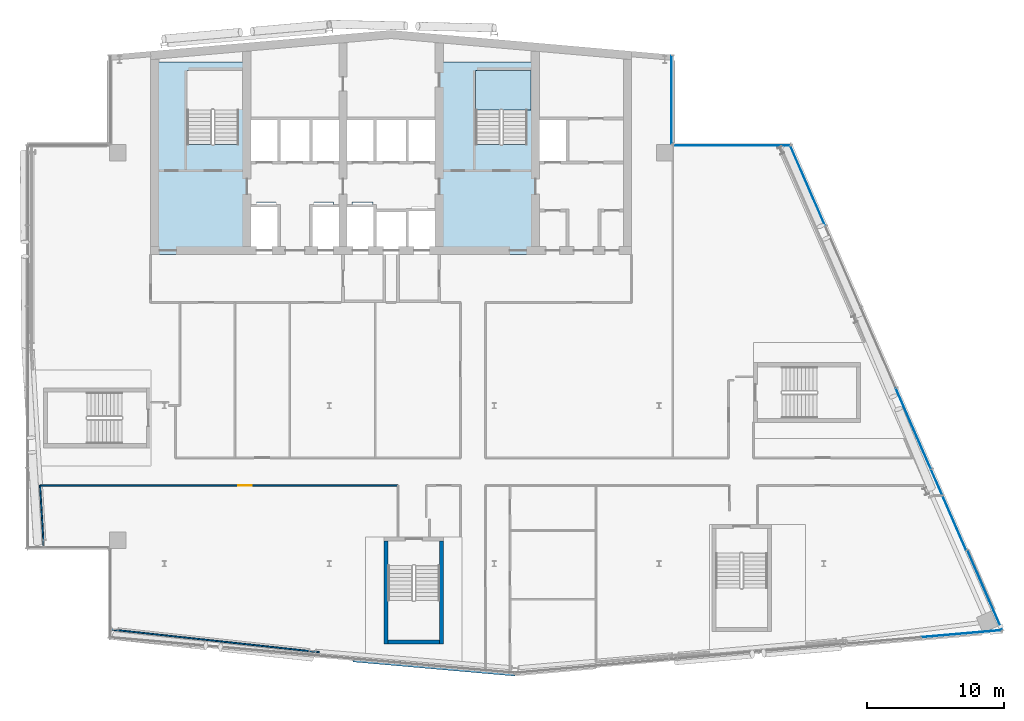
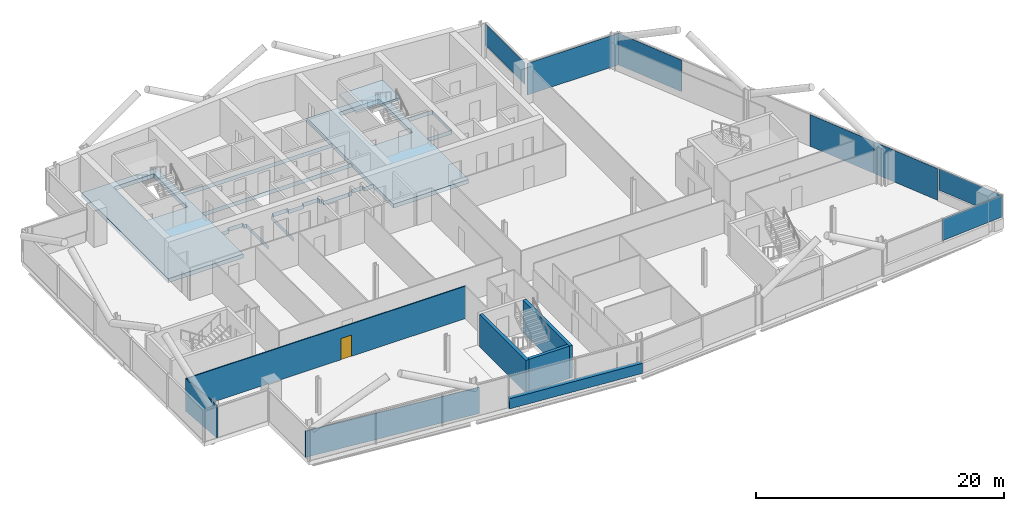
# One storey, part 14 of 27: 7 plates, 7 walls, 2 slabs, 1 door, 1 opening, 5 elements without a shape of their own.
"""IFC4 building model written with IfcOpenShell, lengths in metres."""

from ifc_helpers import new_model, si_unit, direction, frame, frame_2d, origin, origin_2d, place, context, subcontext, project, spatial, polyline, rectangle, outline, extrude, material, layer, layer_set, type_object, element, fill, aggregate, save


model = new_model("IFC4")

# Units and contexts
model_context = context("Model", 3, precision=1e-05, world=origin(), true_north=direction((0.0, 1.0)))
body_context = subcontext(model_context, "Body", "Model", "MODEL_VIEW")
ifc_project = project(units=[si_unit("LENGTHUNIT", "METRE"), si_unit("AREAUNIT", "SQUARE_METRE"), si_unit("VOLUMEUNIT", "CUBIC_METRE"), si_unit("PLANEANGLEUNIT", "RADIAN"), si_unit("MASSUNIT", "GRAM", prefix="KILO")], contexts=[model_context])

# Site, building, storey
site_placement = place(None, origin())
site = spatial("IfcSite", under=ifc_project, at=site_placement, CompositionType="ELEMENT")
building_placement = place(site_placement, origin())
building = spatial("IfcBuilding", under=site, at=building_placement, Name="Wharfspan Tower", CompositionType="ELEMENT")
storey_placement = place(building_placement, frame((0.0, 0.0, 210.699951)))
storey = spatial("IfcBuildingStorey", under=building, at=storey_placement, Name="L52", CompositionType="ELEMENT", Elevation=210.699951)

# Curtain wall, plate
ifc_material_1 = material(Name="Aluminium 6063-T6", Category="aluminium")
curtain_wall_type_1 = type_object("IfcCurtainWallType", Name="CURTAIN WALL FACETED FRONT", PredefinedType="NOTDEFINED", material=ifc_material_1)
curtain_wall_1_placement = place(storey_placement, origin())
curtain_wall_1 = element("IfcCurtainWall", 1, at=curtain_wall_1_placement, inside=storey, type_object=curtain_wall_type_1, Name="Curtain wall S2", PredefinedType="NOTDEFINED")
ifc_material_2 = material(Name="Glass clear low-iron double glazing", Category="glass")
ifc_layer_1 = layer(ifc_material_2, 0.040039)
ifc_layer_set_1 = layer_set([ifc_layer_1], Name="Glass clear low-iron double glazing")
plate_type_1 = type_object("IfcPlateType", Name="GLASS PANEL FACETED FRONT 40", PredefinedType="CURTAIN_PANEL", material=ifc_layer_set_1)
plate_1_placement = place(storey_placement, frame((82.021484, 6.399658, 1.0), z_axis=(0.0, 0.0, 1.0), x_axis=(0.996197, 0.087156, 0.0)))
plate_1 = element("IfcPlate", 2, at=plate_1_placement, type_object=plate_type_1, Name="Curtain wall S2 panel 6", PredefinedType="CURTAIN_PANEL", context=body_context, shape_type="SweptSolid", body=[
    extrude(rectangle(XDim=5.849365, YDim=0.040039, at=origin_2d()), origin(), (0.0, 0.0, 1.0), 2.120117),
])
aggregate(curtain_wall_1, [plate_1])

curtain_wall_type_2 = type_object("IfcCurtainWallType", Name="CURTAIN WALL PROW AND END", PredefinedType="NOTDEFINED", material=ifc_material_1)
curtain_wall_2_placement = place(storey_placement, origin())
curtain_wall_2 = element("IfcCurtainWall", 3, at=curtain_wall_2_placement, inside=storey, type_object=curtain_wall_type_2, Name="Curtain wall E", PredefinedType="NOTDEFINED")
ifc_layer_2 = layer(ifc_material_2, 0.040039)
ifc_layer_set_2 = layer_set([ifc_layer_2], Name="Glass clear low-iron double glazing")
plate_type_2 = type_object("IfcPlateType", Name="GLASS PANEL PROW AND END 40", PredefinedType="CURTAIN_PANEL", material=ifc_layer_set_2)
plate_2_placement = place(storey_placement, frame((83.711426, 9.563721, 1.0), z_axis=(0.0, 0.0, 1.0), x_axis=(-0.398727, 0.917072, 0.0)))
plate_2 = element("IfcPlate", 4, at=plate_2_placement, type_object=plate_type_2, Name="Curtain wall E panel 1", PredefinedType="CURTAIN_PANEL", context=body_context, shape_type="SweptSolid", body=[
    extrude(rectangle(XDim=6.343506, YDim=0.040039, at=origin_2d()), origin(), (0.0, 0.0, 1.0), 2.120117),
])

curtain_wall_3_placement = place(storey_placement, origin())
curtain_wall_3 = element("IfcCurtainWall", 5, at=curtain_wall_3_placement, inside=storey, type_object=curtain_wall_type_2, Name="Curtain wall NRE-V", PredefinedType="NOTDEFINED")
plate_3_placement = place(storey_placement, frame((60.919922, 45.262451, 1.0), z_axis=(0.0, 0.0, 1.0), x_axis=(0.0, 1.0, 0.0)))
plate_3 = element("IfcPlate", 6, at=plate_3_placement, type_object=plate_type_2, Name="Curtain wall NRE-V panel 1", PredefinedType="CURTAIN_PANEL", context=body_context, shape_type="SweptSolid", body=[
    extrude(rectangle(XDim=6.405029, YDim=0.040039, at=origin_2d()), origin(), (0.0, 0.0, 1.0), 2.120117),
])
aggregate(curtain_wall_3, [plate_3])

# Plate
ifc_material_3 = material(Name="Aluminium composite opaque insulated panel", Category="aluminium")
ifc_layer_3 = layer(ifc_material_3, 0.040039)
ifc_layer_set_3 = layer_set([ifc_layer_3], Name="Aluminium composite opaque insulated panel")
plate_type_3 = type_object("IfcPlateType", Name="INFILL PANEL PROW AND END OPAQUE 40", PredefinedType="SHEET", material=ifc_layer_set_3)
plate_4_placement = place(storey_placement, frame((81.078857, 15.418213, 0.0), z_axis=(0.0, 0.0, 1.0), x_axis=(-0.398727, 0.917072, 0.0)))
plate_4 = element("IfcPlate", 7, at=plate_4_placement, type_object=plate_type_3, Name="Curtain wall E panel 2", PredefinedType="SHEET", context=body_context, shape_type="SweptSolid", body=[
    extrude(rectangle(XDim=6.373535, YDim=0.040039, at=origin_2d()), origin(), (0.0, 0.0, 1.0), 3.120117),
])

plate_5_placement = place(storey_placement, frame((78.513672, 21.318115, 0.0), z_axis=(0.0, 0.0, 1.0), x_axis=(-0.398727, 0.917072, 0.0)))
plate_5 = element("IfcPlate", 8, at=plate_5_placement, type_object=plate_type_3, Name="Curtain wall E panel 3", PredefinedType="SHEET", context=body_context, shape_type="SweptSolid", body=[
    extrude(rectangle(XDim=6.373535, YDim=0.040039, at=origin_2d()), origin(), (0.0, 0.0, 1.0), 3.120117),
])

plate_6_placement = place(storey_placement, frame((70.823975, 39.004395, 0.0), z_axis=(0.0, 0.0, 1.0), x_axis=(-0.398727, 0.917072, 0.0)))
plate_6 = element("IfcPlate", 9, at=plate_6_placement, type_object=plate_type_3, Name="Curtain wall E panel 6", PredefinedType="SHEET", context=body_context, shape_type="SweptSolid", body=[
    extrude(rectangle(XDim=6.343506, YDim=0.040039, at=origin_2d()), origin(), (0.0, 0.0, 1.0), 3.120117),
])

aggregate(curtain_wall_2, [plate_2, plate_4, plate_5, plate_6])

# Curtain wall, plate
curtain_wall_4_placement = place(storey_placement, origin())
curtain_wall_4 = element("IfcCurtainWall", 10, at=curtain_wall_4_placement, inside=storey, type_object=curtain_wall_type_2, Name="Curtain wall NRE-H", PredefinedType="NOTDEFINED")
plate_7_placement = place(storey_placement, frame((65.304443, 41.919922, 0.0), z_axis=(0.0, 0.0, 1.0), x_axis=(-1.0, 0.0, 0.0)))
plate_7 = element("IfcPlate", 11, at=plate_7_placement, type_object=plate_type_3, Name="Curtain wall NRE-H panel 1", PredefinedType="SHEET", context=body_context, shape_type="SweptSolid", body=[
    extrude(rectangle(XDim=8.48877, YDim=0.040039, at=origin_2d()), origin(), (0.0, 0.0, 1.0), 3.120117),
])
aggregate(curtain_wall_4, [plate_7])

# Slab
ifc_material_4 = material(Name="Concrete C40/50", Category="concrete")
ifc_layer_4 = layer(ifc_material_4, 0.399902)
ifc_layer_set_4 = layer_set([ifc_layer_4], Name="Concrete C40/50")
slab_type_1 = type_object("IfcSlabType", Name="Post-tensioned flat slab 400", PredefinedType="FLOOR", material=ifc_layer_set_4)
slab_1_placement = place(storey_placement, frame((0.0, 0.0, -0.400146)))
element("IfcSlab", 12, at=slab_1_placement, inside=storey, type_object=slab_type_1, Name="Core floor slab L52 part 2", PredefinedType="FLOOR", context=body_context, shape_type="SweptSolid", body=[
    extrude(outline(polyline([(23.0, 34.0), (29.998047, 34.0), (29.998047, 37.550049), (29.998047, 37.550293), (29.998047, 37.550293), (29.998047, 37.550537), (29.998291, 37.550781), (29.998291, 37.550781), (29.998291, 37.551025), (29.998535, 37.55127), (29.998535, 37.551514), (29.998779, 37.551514), (29.998779, 37.551758), (29.999023, 37.551758), (29.999268, 37.551758), (29.999512, 37.552002), (29.999512, 37.552002), (29.999756, 37.552002), (30.0, 37.552002), (30.7146, 37.552002), (30.7146, 37.800049), (30.7146, 37.800293), (30.7146, 37.800293), (30.714844, 37.800537), (30.714844, 37.800781), (30.714844, 37.800781), (30.715088, 37.801025), (30.715088, 37.80127), (30.715332, 37.801514), (30.715332, 37.801514), (30.715576, 37.801758), (30.71582, 37.801758), (30.71582, 37.801758), (30.716064, 37.802002), (30.716309, 37.802002), (30.716553, 37.802002), (30.716797, 37.802002), (32.116699, 37.802002), (32.116943, 37.802002), (32.117188, 37.802002), (32.117188, 37.802002), (32.117432, 37.801758), (32.117676, 37.801758), (32.11792, 37.801758), (32.11792, 37.801514), (32.118164, 37.801514), (32.118164, 37.80127), (32.118408, 37.801025), (32.118408, 37.800781), (32.118408, 37.800781), (32.118652, 37.800537), (32.118652, 37.800293), (32.118652, 37.800293), (32.118652, 37.800049), (32.118652, 37.552002), (32.333252, 37.552002), (32.333496, 37.552002), (32.33374, 37.552002), (32.333984, 37.552002), (32.333984, 37.551758), (32.334229, 37.551758), (32.334473, 37.551758), (32.334717, 37.551514), (32.334717, 37.551514), (32.334961, 37.55127), (32.334961, 37.551025), (32.335205, 37.550781), (32.335205, 37.550781), (32.335205, 37.550537), (32.335205, 37.550293), (32.335205, 37.550293), (32.335205, 37.550049), (32.335205, 34.0), (32.341309, 34.0), (32.341309, 37.558105), (32.126709, 37.558105), (32.126465, 37.558105), (32.126221, 37.558105), (32.126221, 37.558105), (32.125977, 37.558105), (32.125732, 37.558105), (32.125488, 37.55835), (32.125488, 37.558594), (32.125244, 37.558594), (32.125244, 37.558594), (32.125, 37.558838), (32.125, 37.559082), (32.125, 37.559082), (32.124756, 37.559326), (32.124756, 37.55957), (32.124756, 37.559814), (32.124756, 37.560059), (32.124756, 37.808105), (30.70874, 37.808105), (30.70874, 37.560059), (30.70874, 37.559814), (30.70874, 37.55957), (30.708496, 37.559326), (30.708496, 37.559082), (30.708496, 37.559082), (30.708496, 37.558838), (30.708252, 37.558594), (30.708008, 37.558594), (30.708008, 37.558594), (30.707764, 37.55835), (30.70752, 37.558105), (30.70752, 37.558105), (30.707275, 37.558105), (30.707031, 37.558105), (30.706787, 37.558105), (30.706787, 37.558105), (30.01001, 37.558105), (30.009766, 37.558105), (30.009521, 37.558105), (30.009521, 37.558105), (30.009277, 37.558105), (30.009033, 37.558105), (30.008789, 37.55835), (30.008789, 37.558594), (30.008545, 37.558594), (30.008545, 37.558594), (30.008301, 37.558838), (30.008301, 37.559082), (30.008301, 37.559082), (30.008057, 37.559326), (30.008057, 37.55957), (30.008057, 37.559814), (30.008057, 37.560059), (30.008057, 40.689941), (30.008057, 40.690186), (30.008057, 40.69043), (30.008057, 40.690674), (30.008301, 40.690918), (30.008301, 40.690918), (30.008301, 40.691162), (30.008545, 40.691406), (30.008545, 40.691406), (30.008789, 40.691406), (30.008789, 40.69165), (30.009033, 40.691895), (30.009277, 40.691895), (30.009521, 40.691895), (30.009521, 40.691895), (30.009766, 40.691895), (30.01001, 40.691895), (43.98999, 40.691895), (43.990234, 40.691895), (43.990479, 40.691895), (43.990479, 40.691895), (43.990723, 40.691895), (43.990967, 40.691895), (43.991211, 40.69165), (43.991211, 40.691406), (43.991455, 40.691406), (43.991455, 40.691406), (43.991699, 40.691162), (43.991699, 40.690918), (43.991699, 40.690918), (43.991943, 40.690674), (43.991943, 40.69043), (43.991943, 40.690186), (43.991943, 40.689941), (43.991943, 37.26001), (43.991943, 37.259766), (43.991943, 37.259521), (43.991943, 37.259521), (43.991699, 37.259277), (43.991699, 37.259033), (43.991699, 37.258789), (43.991455, 37.258789), (43.991455, 37.258545), (43.991211, 37.258545), (43.991211, 37.258301), (43.990967, 37.258301), (43.990723, 37.258301), (43.990479, 37.258057), (43.990479, 37.258057), (43.990234, 37.258057), (43.98999, 37.258057), (43.143311, 37.258057), (43.143066, 37.258057), (43.142822, 37.258057), (43.142578, 37.258057), (43.142578, 37.258301), (43.142334, 37.258301), (43.14209, 37.258301), (43.14209, 37.258545), (43.141846, 37.258545), (43.141846, 37.258789), (43.141602, 37.258789), (43.141602, 37.259033), (43.141602, 37.259277), (43.141357, 37.259521), (43.141357, 37.259521), (43.141357, 37.259766), (43.141357, 37.26001), (43.141357, 37.508057), (42.025391, 37.508057), (42.025391, 37.26001), (42.025391, 37.259766), (42.025391, 37.259521), (42.025146, 37.259521), (42.025146, 37.259277), (42.025146, 37.259033), (42.024902, 37.258789), (42.024902, 37.258789), (42.024658, 37.258545), (42.024658, 37.258545), (42.024414, 37.258301), (42.02417, 37.258301), (42.02417, 37.258301), (42.023926, 37.258057), (42.023682, 37.258057), (42.023438, 37.258057), (42.023193, 37.258057), (41.658691, 37.258057), (41.658691, 37.209961), (41.658691, 37.209717), (41.658691, 37.209717), (41.658691, 37.209473), (41.658447, 37.209229), (41.658447, 37.208984), (41.658447, 37.208984), (41.658203, 37.20874), (41.658203, 37.208496), (41.657959, 37.208496), (41.657715, 37.208252), (41.657715, 37.208252), (41.657471, 37.208252), (41.657227, 37.208008), (41.656982, 37.208008), (41.656982, 37.208008), (41.656738, 37.208008), (39.343262, 37.208008), (39.343018, 37.208008), (39.343018, 37.208008), (39.342773, 37.208008), (39.342529, 37.208252), (39.342285, 37.208252), (39.342285, 37.208252), (39.342041, 37.208496), (39.341797, 37.208496), (39.341797, 37.20874), (39.341553, 37.208984), (39.341553, 37.208984), (39.341553, 37.209229), (39.341309, 37.209473), (39.341309, 37.209717), (39.341309, 37.209717), (39.341309, 37.209961), (39.341309, 37.558105), (39.166748, 37.558105), (39.166504, 37.558105), (39.16626, 37.558105), (39.166016, 37.558105), (39.166016, 37.558105), (39.165771, 37.558105), (39.165527, 37.55835), (39.165283, 37.558594), (39.165283, 37.558594), (39.165283, 37.558594), (39.165039, 37.558838), (39.164795, 37.559082), (39.164795, 37.559082), (39.164795, 37.559326), (39.164795, 37.55957), (39.164795, 37.559814), (39.164795, 37.560059), (39.164795, 37.808105), (37.668701, 37.808105), (37.668701, 37.560059), (37.668701, 37.559814), (37.668701, 37.55957), (37.668701, 37.559326), (37.668457, 37.559082), (37.668457, 37.559082), (37.668457, 37.558838), (37.668213, 37.558594), (37.668213, 37.558594), (37.667969, 37.558594), (37.667725, 37.55835), (37.66748, 37.558105), (37.66748, 37.558105), (37.667236, 37.558105), (37.666992, 37.558105), (37.666992, 37.558105), (37.666748, 37.558105), (36.293213, 37.558105), (36.293213, 37.558105), (36.292969, 37.558105), (36.292725, 37.558105), (36.29248, 37.558105), (36.29248, 37.558105), (36.292236, 37.55835), (36.291992, 37.558594), (36.291992, 37.558594), (36.291748, 37.558594), (36.291504, 37.558838), (36.291504, 37.559082), (36.291504, 37.559082), (36.291504, 37.559326), (36.29126, 37.55957), (36.29126, 37.559814), (36.29126, 37.560059), (36.29126, 37.808105), (34.875244, 37.808105), (34.875244, 37.560059), (34.875244, 37.559814), (34.875244, 37.55957), (34.875244, 37.559326), (34.875, 37.559082), (34.875, 37.559082), (34.875, 37.558838), (34.874756, 37.558594), (34.874756, 37.558594), (34.874512, 37.558594), (34.874512, 37.55835), (34.874268, 37.558105), (34.874023, 37.558105), (34.873779, 37.558105), (34.873779, 37.558105), (34.873535, 37.558105), (34.873291, 37.558105), (34.658691, 37.558105), (34.658691, 34.0), (34.664795, 34.0), (34.664795, 37.550049), (34.664795, 37.550293), (34.664795, 37.550293), (34.664795, 37.550537), (34.664795, 37.550781), (34.664795, 37.550781), (34.665039, 37.551025), (34.665039, 37.55127), (34.665283, 37.551514), (34.665283, 37.551514), (34.665527, 37.551758), (34.665771, 37.551758), (34.666016, 37.551758), (34.666016, 37.552002), (34.66626, 37.552002), (34.666504, 37.552002), (34.666748, 37.552002), (34.881348, 37.552002), (34.881348, 37.800049), (34.881348, 37.800293), (34.881348, 37.800293), (34.881348, 37.800537), (34.881592, 37.800781), (34.881592, 37.800781), (34.881592, 37.801025), (34.881836, 37.80127), (34.881836, 37.801514), (34.88208, 37.801514), (34.88208, 37.801758), (34.882324, 37.801758), (34.882568, 37.801758), (34.882812, 37.802002), (34.882812, 37.802002), (34.883057, 37.802002), (34.883301, 37.802002), (36.283203, 37.802002), (36.283447, 37.802002), (36.283691, 37.802002), (36.283936, 37.802002), (36.28418, 37.801758), (36.28418, 37.801758), (36.284424, 37.801758), (36.284668, 37.801514), (36.284668, 37.801514), (36.284912, 37.80127), (36.284912, 37.801025), (36.285156, 37.800781), (36.285156, 37.800781), (36.285156, 37.800537), (36.2854, 37.800293), (36.2854, 37.800293), (36.2854, 37.800049), (36.2854, 37.552002), (37.674805, 37.552002), (37.674805, 37.800049), (37.674805, 37.800293), (37.674805, 37.800293), (37.674805, 37.800537), (37.674805, 37.800781), (37.674805, 37.800781), (37.675049, 37.801025), (37.675049, 37.80127), (37.675293, 37.801514), (37.675293, 37.801514), (37.675537, 37.801758), (37.675781, 37.801758), (37.675781, 37.801758), (37.676025, 37.802002), (37.67627, 37.802002), (37.676514, 37.802002), (37.676758, 37.802002), (39.156738, 37.802002), (39.156982, 37.802002), (39.156982, 37.802002), (39.157227, 37.802002), (39.157471, 37.801758), (39.157715, 37.801758), (39.157715, 37.801758), (39.157959, 37.801514), (39.158203, 37.801514), (39.158203, 37.80127), (39.158203, 37.801025), (39.158447, 37.800781), (39.158447, 37.800781), (39.158691, 37.800537), (39.158691, 37.800293), (39.158691, 37.800293), (39.158691, 37.800049), (39.158691, 37.552002), (39.333252, 37.552002), (39.333496, 37.552002), (39.33374, 37.552002), (39.333984, 37.552002), (39.333984, 37.551758), (39.334229, 37.551758), (39.334473, 37.551758), (39.334717, 37.551514), (39.334717, 37.551514), (39.334961, 37.55127), (39.334961, 37.551025), (39.335205, 37.550781), (39.335205, 37.550781), (39.335205, 37.550537), (39.335205, 37.550293), (39.335205, 37.550293), (39.335205, 37.550049), (39.335205, 37.201904), (41.664795, 37.201904), (41.664795, 37.25), (41.664795, 37.250244), (41.664795, 37.250488), (41.664795, 37.250488), (41.664795, 37.250732), (41.664795, 37.250977), (41.665039, 37.251221), (41.665039, 37.251221), (41.665283, 37.251465), (41.665283, 37.251465), (41.665527, 37.251709), (41.665771, 37.251709), (41.666016, 37.251709), (41.666016, 37.251953), (41.66626, 37.251953), (41.666504, 37.251953), (41.666748, 37.251953), (42.03125, 37.251953), (42.03125, 37.5), (42.03125, 37.500244), (42.031494, 37.500488), (42.031494, 37.500488), (42.031494, 37.500732), (42.031494, 37.500977), (42.031738, 37.501221), (42.031738, 37.501221), (42.031982, 37.501465), (42.031982, 37.501465), (42.032227, 37.501709), (42.032471, 37.501709), (42.032715, 37.501709), (42.032715, 37.501953), (42.032959, 37.501953), (42.033203, 37.501953), (42.033203, 37.501953), (43.133301, 37.501953), (43.133545, 37.501953), (43.133789, 37.501953), (43.133789, 37.501953), (43.134033, 37.501709), (43.134277, 37.501709), (43.134521, 37.501709), (43.134521, 37.501465), (43.134766, 37.501465), (43.13501, 37.501221), (43.13501, 37.501221), (43.13501, 37.500977), (43.135254, 37.500732), (43.135254, 37.500488), (43.135254, 37.500488), (43.135254, 37.500244), (43.135254, 37.5), (43.135254, 37.251953), (44.0, 37.251953), (44.000244, 37.251953), (44.000488, 37.251953), (44.000488, 37.251953), (44.000732, 37.251709), (44.000977, 37.251709), (44.001221, 37.251709), (44.001221, 37.251465), (44.001465, 37.251465), (44.001465, 37.251221), (44.001709, 37.251221), (44.001709, 37.250977), (44.001709, 37.250732), (44.001953, 37.250488), (44.001953, 37.250488), (44.001953, 37.250244), (44.001953, 37.25), (44.001953, 34.0), (51.0, 34.0), (51.008057, 34.0), (51.008057, 40.689941), (51.008057, 40.690186), (51.008057, 40.69043), (51.008057, 40.690674), (51.008301, 40.690918), (51.008301, 40.690918), (51.008301, 40.691162), (51.008545, 40.691406), (51.008545, 40.691406), (51.008789, 40.691406), (51.008789, 40.69165), (51.009033, 40.691895), (51.009277, 40.691895), (51.009521, 40.691895), (51.009521, 40.691895), (51.009766, 40.691895), (51.01001, 40.691895), (53.341309, 40.691895), (53.341309, 43.907959), (51.01001, 43.907959), (51.009766, 43.907959), (51.009521, 43.907959), (51.009521, 43.908203), (51.009277, 43.908203), (51.009033, 43.908203), (51.008789, 43.908203), (51.008789, 43.908447), (51.008545, 43.908691), (51.008545, 43.908691), (51.008301, 43.908936), (51.008301, 43.90918), (51.008301, 43.90918), (51.008057, 43.909424), (51.008057, 43.909668), (51.008057, 43.909912), (51.008057, 43.909912), (51.008057, 48.008057), (43.991943, 48.008057), (43.991943, 43.909912), (43.991943, 43.909912), (43.991943, 43.909668), (43.991943, 43.909424), (43.991699, 43.90918), (43.991699, 43.90918), (43.991699, 43.908936), (43.991455, 43.908691), (43.991455, 43.908691), (43.991211, 43.908447), (43.991211, 43.908203), (43.990967, 43.908203), (43.990723, 43.908203), (43.990479, 43.908203), (43.990479, 43.907959), (43.990234, 43.907959), (43.98999, 43.907959), (30.01001, 43.907959), (30.009766, 43.907959), (30.009521, 43.907959), (30.009521, 43.908203), (30.009277, 43.908203), (30.009033, 43.908203), (30.008789, 43.908203), (30.008789, 43.908447), (30.008545, 43.908691), (30.008545, 43.908691), (30.008301, 43.908936), (30.008301, 43.90918), (30.008301, 43.90918), (30.008057, 43.909424), (30.008057, 43.909668), (30.008057, 43.909912), (30.008057, 43.909912), (30.008057, 48.008057), (23.0, 48.008057), (23.0, 48.0), (23.0, 34.0)]), holes=[polyline([(53.333252, 43.9021), (53.333496, 43.9021), (53.33374, 43.9021), (53.333984, 43.901855), (53.333984, 43.901855), (53.334229, 43.901855), (53.334473, 43.901611), (53.334717, 43.901611), (53.334717, 43.901367), (53.334961, 43.901367), (53.334961, 43.901123), (53.335205, 43.900879), (53.335205, 43.900879), (53.335205, 43.900635), (53.335205, 43.900391), (53.335205, 43.900146), (53.335205, 43.899902), (53.335205, 40.699951), (53.335205, 40.699707), (53.335205, 40.699707), (53.335205, 40.699463), (53.335205, 40.699219), (53.335205, 40.699219), (53.334961, 40.698975), (53.334961, 40.69873), (53.334717, 40.698486), (53.334717, 40.698486), (53.334473, 40.698242), (53.334229, 40.698242), (53.333984, 40.698242), (53.333984, 40.697998), (53.33374, 40.697998), (53.333496, 40.697998), (53.333252, 40.697998), (51.0, 40.697998), (50.999756, 40.697998), (50.999512, 40.697998), (50.999512, 40.697998), (50.999268, 40.698242), (50.999023, 40.698242), (50.998779, 40.698242), (50.998779, 40.698486), (50.998535, 40.698486), (50.998535, 40.69873), (50.998291, 40.698975), (50.998291, 40.699219), (50.998291, 40.699219), (50.998047, 40.699463), (50.998047, 40.699707), (50.998047, 40.699707), (50.998047, 40.699951), (50.998047, 43.899902), (50.998047, 43.900146), (50.998047, 43.900391), (50.998047, 43.900635), (50.998291, 43.900879), (50.998291, 43.900879), (50.998291, 43.901123), (50.998535, 43.901367), (50.998535, 43.901367), (50.998779, 43.901611), (50.998779, 43.901611), (50.999023, 43.901855), (50.999268, 43.901855), (50.999512, 43.901855), (50.999512, 43.9021), (50.999756, 43.9021), (51.0, 43.9021), (53.333252, 43.9021)]), polyline([(46.649902, 41.998047), (46.649902, 41.998047), (46.649658, 41.998047), (46.649414, 41.998047), (46.64917, 41.998291), (46.64917, 41.998291), (46.648926, 41.998291), (46.648682, 41.998535), (46.648682, 41.998535), (46.648438, 41.998779), (46.648193, 41.998779), (46.648193, 41.999023), (46.648193, 41.999268), (46.648193, 41.999512), (46.647949, 41.999512), (46.647949, 41.999756), (46.647949, 42.0), (46.647949, 47.399902), (46.647949, 47.400146), (46.647949, 47.400391), (46.648193, 47.400635), (46.648193, 47.400879), (46.648193, 47.400879), (46.648193, 47.401123), (46.648438, 47.401367), (46.648682, 47.401367), (46.648682, 47.401611), (46.648926, 47.401611), (46.64917, 47.401855), (46.64917, 47.401855), (46.649414, 47.401855), (46.649658, 47.4021), (46.649902, 47.4021), (46.649902, 47.4021), (50.399902, 47.4021), (50.400146, 47.4021), (50.400391, 47.4021), (50.400635, 47.401855), (50.400879, 47.401855), (50.400879, 47.401855), (50.401123, 47.401611), (50.401367, 47.401611), (50.401367, 47.401367), (50.401611, 47.401367), (50.401611, 47.401123), (50.401855, 47.400879), (50.401855, 47.400879), (50.401855, 47.400635), (50.4021, 47.400391), (50.4021, 47.400146), (50.4021, 47.399902), (50.4021, 42.0), (50.4021, 41.999756), (50.4021, 41.999512), (50.401855, 41.999512), (50.401855, 41.999268), (50.401855, 41.999023), (50.401611, 41.998779), (50.401611, 41.998779), (50.401367, 41.998535), (50.401367, 41.998535), (50.401123, 41.998291), (50.400879, 41.998291), (50.400879, 41.998291), (50.400635, 41.998047), (50.400391, 41.998047), (50.400146, 41.998047), (50.399902, 41.998047), (46.649902, 41.998047)]), polyline([(44.0, 43.9021), (44.000244, 43.9021), (44.000488, 43.9021), (44.000488, 43.901855), (44.000732, 43.901855), (44.000977, 43.901855), (44.001221, 43.901611), (44.001221, 43.901611), (44.001465, 43.901367), (44.001465, 43.901367), (44.001709, 43.901123), (44.001709, 43.900879), (44.001709, 43.900879), (44.001953, 43.900635), (44.001953, 43.900391), (44.001953, 43.900146), (44.001953, 43.899902), (44.001953, 40.699951), (44.001953, 40.699707), (44.001953, 40.699707), (44.001953, 40.699463), (44.001709, 40.699219), (44.001709, 40.699219), (44.001709, 40.698975), (44.001465, 40.69873), (44.001465, 40.698486), (44.001221, 40.698486), (44.001221, 40.698242), (44.000977, 40.698242), (44.000732, 40.698242), (44.000488, 40.697998), (44.000488, 40.697998), (44.000244, 40.697998), (44.0, 40.697998), (30.0, 40.697998), (29.999756, 40.697998), (29.999512, 40.697998), (29.999512, 40.697998), (29.999268, 40.698242), (29.999023, 40.698242), (29.998779, 40.698242), (29.998779, 40.698486), (29.998535, 40.698486), (29.998535, 40.69873), (29.998291, 40.698975), (29.998291, 40.699219), (29.998291, 40.699219), (29.998047, 40.699463), (29.998047, 40.699707), (29.998047, 40.699707), (29.998047, 40.699951), (29.998047, 43.899902), (29.998047, 43.900146), (29.998047, 43.900391), (29.998047, 43.900635), (29.998291, 43.900879), (29.998291, 43.900879), (29.998291, 43.901123), (29.998535, 43.901367), (29.998535, 43.901367), (29.998779, 43.901611), (29.998779, 43.901611), (29.999023, 43.901855), (29.999268, 43.901855), (29.999512, 43.901855), (29.999512, 43.9021), (29.999756, 43.9021), (30.0, 43.9021), (44.0, 43.9021)]), polyline([(29.4021, 42.0), (29.4021, 41.999756), (29.4021, 41.999512), (29.401855, 41.999512), (29.401855, 41.999268), (29.401855, 41.999023), (29.401611, 41.998779), (29.401611, 41.998779), (29.401367, 41.998535), (29.401367, 41.998535), (29.401123, 41.998291), (29.400879, 41.998291), (29.400879, 41.998291), (29.400635, 41.998047), (29.400391, 41.998047), (29.400146, 41.998047), (29.399902, 41.998047), (25.649902, 41.998047), (25.649902, 41.998047), (25.649658, 41.998047), (25.649414, 41.998047), (25.64917, 41.998291), (25.64917, 41.998291), (25.648926, 41.998291), (25.648682, 41.998535), (25.648682, 41.998535), (25.648438, 41.998779), (25.648193, 41.998779), (25.648193, 41.999023), (25.648193, 41.999268), (25.648193, 41.999512), (25.647949, 41.999512), (25.647949, 41.999756), (25.647949, 42.0), (25.647949, 47.399902), (25.647949, 47.400146), (25.647949, 47.400391), (25.648193, 47.400635), (25.648193, 47.400879), (25.648193, 47.400879), (25.648193, 47.401123), (25.648438, 47.401367), (25.648682, 47.401367), (25.648682, 47.401611), (25.648926, 47.401611), (25.64917, 47.401855), (25.64917, 47.401855), (25.649414, 47.401855), (25.649658, 47.4021), (25.649902, 47.4021), (25.649902, 47.4021), (29.399902, 47.4021), (29.400146, 47.4021), (29.400391, 47.4021), (29.400635, 47.401855), (29.400879, 47.401855), (29.400879, 47.401855), (29.401123, 47.401611), (29.401367, 47.401611), (29.401367, 47.401367), (29.401611, 47.401367), (29.401611, 47.401123), (29.401855, 47.400879), (29.401855, 47.400879), (29.401855, 47.400635), (29.4021, 47.400391), (29.4021, 47.400146), (29.4021, 47.399902), (29.4021, 42.0)])]), origin(), (0.0, 0.0, 1.0), 0.400146),
])

# Stair, slab
stair_type = type_object("IfcStairType", Name="Half-turn stair 20 risers 180 mm", PredefinedType="HALF_TURN_STAIR", material=ifc_material_4)
stair_placement = place(storey_placement, origin())
stair = element("IfcStair", 13, at=stair_placement, inside=storey, type_object=stair_type, Name="L52 stair ST2", PredefinedType="HALF_TURN_STAIR")
ifc_layer_5 = layer(ifc_material_4, 0.199951)
ifc_layer_set_5 = layer_set([ifc_layer_5], Name="Concrete C40/50")
slab_type_2 = type_object("IfcSlabType", Name="Stair landing 200", PredefinedType="LANDING", material=ifc_layer_set_5)
slab_2_placement = place(storey_placement, frame((0.0, 0.0, 1.599854)))
slab_2 = element("IfcSlab", 14, at=slab_2_placement, type_object=slab_type_2, Name="ST2 landing 1", PredefinedType="LANDING", context=body_context, shape_type="SweptSolid", body=[
    extrude(outline(polyline([(46.649902, 44.52002), (50.699951, 44.52002), (50.699951, 47.399902), (46.649902, 47.399902), (46.649902, 44.52002)])), origin(), (0.0, 0.0, 1.0), 0.200195),
])
aggregate(stair, [slab_2])

# Wall, opening, door
ifc_material_5 = material(Name="Gypsum board on steel studs", Category="steel")
ifc_layer_6 = layer(ifc_material_5, 0.100098)
ifc_layer_set_6 = layer_set([ifc_layer_6], Name="Gypsum board on steel studs")
wall_type_1 = type_object("IfcWallType", Name="Compartment wall 100 EI 60", PredefinedType="PARTITIONING", material=ifc_layer_set_6)
wall_1_placement = place(storey_placement, frame((14.945068, 17.195068, 0.0), z_axis=(0.0, 0.0, 1.0), x_axis=(1.0, 0.0, 0.0)))
wall_1 = element("IfcWall", 15, at=wall_1_placement, inside=storey, type_object=wall_type_1, Name="Partition L52.w003", PredefinedType="PARTITIONING", context=body_context, shape_type="SweptSolid", body=[
    extrude(rectangle(XDim=26.054932, YDim=0.100098, at=frame_2d((13.027344, 0.0))), origin(), (0.0, 0.0, 1.0), 3.199951),
])
opening_placement = place(wall_1_placement, frame((14.419922, 0.0, 0.0)))
opening = element("IfcOpeningElement", 16, at=opening_placement, cuts=wall_1, Name="Opening D2-06", PredefinedType="OPENING", context=body_context, shape_type="SweptSolid", body=[
    extrude(rectangle(XDim=1.0, YDim=2.100098, at=frame_2d((0.5, 1.050049))), frame((0.0, 0.060059, 0.0), z_axis=(0.0, -1.0, 0.0), x_axis=(1.0, 0.0, 0.0)), (0.0, 0.0, 1.0), 0.120117),
])
ifc_material_6 = material(Name="Fire-rated timber door leaf in steel frame", Category="steel")
door_type = type_object("IfcDoorType", Name="Door 1000 FD30S Right", OperationType="SINGLE_SWING_RIGHT", PredefinedType="DOOR", material=ifc_material_6)
door_placement = place(opening_placement, origin())
door = element("IfcDoor", 17, at=door_placement, inside=storey, type_object=door_type, Name="Door D2-06", OperationType="SINGLE_SWING_RIGHT", OverallHeight=2.100098, OverallWidth=1.0, PredefinedType="DOOR", context=body_context, shape_type="SweptSolid", body=[
    extrude(rectangle(XDim=1.0, YDim=2.100098, at=frame_2d((0.5, 1.050049))), frame((0.0, 0.024902, 0.0), z_axis=(0.0, -1.0, 0.0), x_axis=(1.0, 0.0, 0.0)), (0.0, 0.0, 1.0), 0.050049),
])
fill(opening, door)

# Walls
wall_2_placement = place(storey_placement, frame((15.223877, 12.620117, 0.0), z_axis=(0.0, 0.0, 1.0), x_axis=(-0.060903, 0.99814, 0.0)))
element("IfcWall", 18, at=wall_2_placement, inside=storey, type_object=wall_type_1, Name="Partition L52.w004", PredefinedType="PARTITIONING", context=body_context, shape_type="SweptSolid", body=[
    extrude(rectangle(XDim=4.585938, YDim=0.100098, at=frame_2d((2.292969, 0.0))), origin(), (0.0, 0.0, 1.0), 3.199951),
])
ifc_layer_7 = layer(ifc_material_5, 0.100098)
ifc_layer_set_7 = layer_set([ifc_layer_7], Name="Gypsum board on steel studs")
wall_type_2 = type_object("IfcWallType", Name="Partition 100", PredefinedType="PARTITIONING", material=ifc_layer_set_7)
wall_3_placement = place(storey_placement, frame((35.274902, 5.054932, 0.0), z_axis=(0.0, 0.0, 1.0), x_axis=(-0.994128, 0.108228, 0.0)))
element("IfcWall", 19, at=wall_3_placement, inside=storey, type_object=wall_type_2, Name="Partition L52.w014", PredefinedType="PARTITIONING", context=body_context, shape_type="SweptSolid", body=[
    extrude(rectangle(XDim=15.334961, YDim=0.100098, at=frame_2d((7.66748, 0.0))), origin(), (0.0, 0.0, 1.0), 2.580078),
])
ifc_layer_8 = layer(ifc_material_4, 0.350098)
ifc_layer_set_8 = layer_set([ifc_layer_8], Name="Concrete C40/50")
wall_type_3 = type_object("IfcWallType", Name="SPANDREL EXPOSED CONCRETE 350", PredefinedType="SOLIDWALL", material=ifc_layer_set_8)
wall_4_placement = place(storey_placement, frame((37.729492, 4.519043, 0.0), z_axis=(0.0, 0.0, 1.0), x_axis=(0.99619, -0.087167, 0.0)))
element("IfcWall", 20, at=wall_4_placement, inside=storey, type_object=wall_type_3, Name="Spandrel upstand L52 S1", PredefinedType="SOLIDWALL", context=body_context, shape_type="SweptSolid", body=[
    extrude(rectangle(XDim=11.830566, YDim=0.350098, at=frame_2d((5.915283, 0.0))), origin(), (0.0, 0.0, 1.0), 1.0),
])
ifc_layer_9 = layer(ifc_material_4, 0.300049)
ifc_layer_set_9 = layer_set([ifc_layer_9], Name="Concrete C40/50")
wall_type_4 = type_object("IfcWallType", Name="Stair core wall 300", PredefinedType="SHEAR", material=ifc_layer_set_9)
for number, where, z_axis, x_axis, name in (
    (21, (40.127197, 5.643311, 0.0), (0.0, 0.0, 1.0), (0.0, 1.0, 0.0), "ST4 stair enclosure wall L52"),
    (22, (44.177002, 5.643311, 0.0), (0.0, 0.0, 1.0), (0.0, 1.0, 0.0), "ST4 stair enclosure wall L52"),
):
    element("IfcWall", number, at=place(storey_placement, frame(where, z_axis=z_axis, x_axis=x_axis)), inside=storey, type_object=wall_type_4, Name=name, PredefinedType="SHEAR", context=body_context, shape_type="SweptSolid", body=[
        extrude(rectangle(XDim=7.5, YDim=0.300049, at=frame_2d((3.75, 0.0))), origin(), (0.0, 0.0, 1.0), 3.199951),
    ])
wall_5_placement = place(storey_placement, frame((40.2771, 5.793213, 0.0), z_axis=(0.0, 0.0, 1.0), x_axis=(1.0, 0.0, 0.0)))
element("IfcWall", 23, at=wall_5_placement, inside=storey, type_object=wall_type_4, Name="ST4 stair enclosure wall L52", PredefinedType="SHEAR", context=body_context, shape_type="SweptSolid", body=[
    extrude(rectangle(XDim=3.75, YDim=0.300049, at=frame_2d((1.875, 0.0))), origin(), (0.0, 0.0, 1.0), 3.199951),
])

save(model, "model.ifc")
